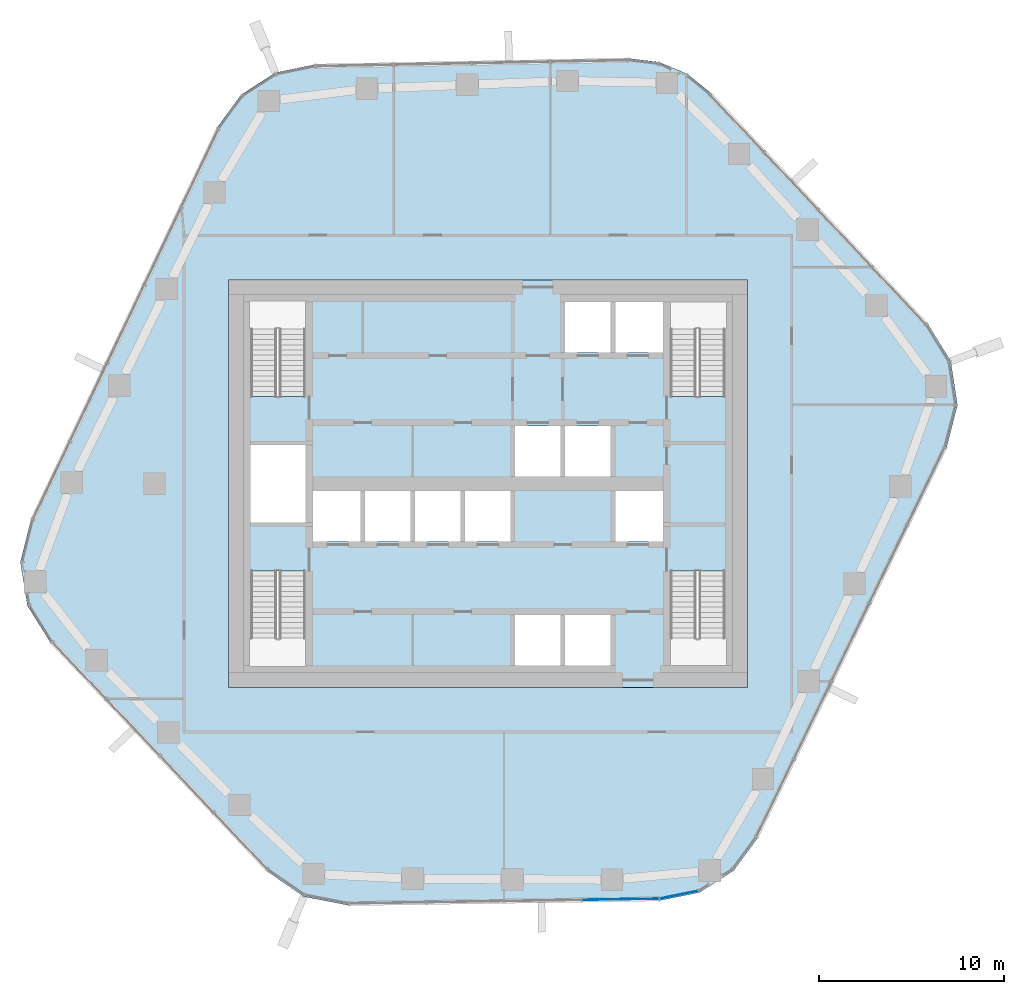
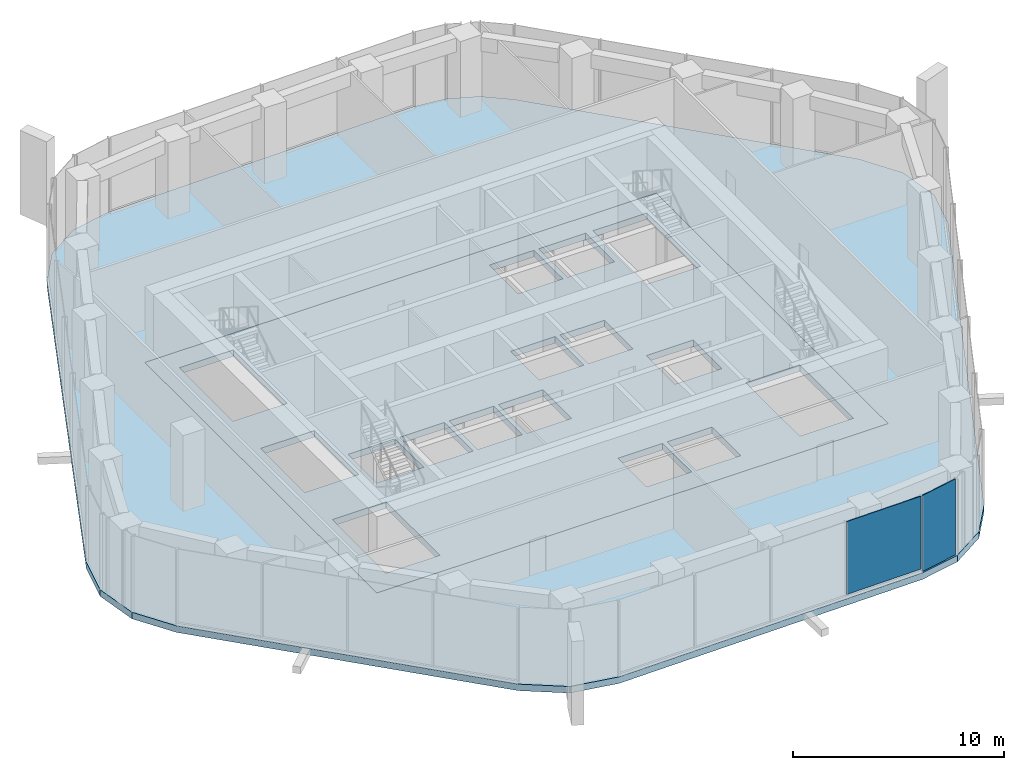
# One storey, part 7 of 16: 2 plates, 2 slabs, 2 elements without a shape of their own.
"""IFC4 building model written with IfcOpenShell, lengths in metres."""

from ifc_helpers import new_model, si_unit, direction, frame, origin, origin_2d, place, context, subcontext, project, spatial, polyline, rectangle, outline, extrude, material, layer, layer_set, type_object, element, aggregate, save


model = new_model("IFC4")

# Units and contexts
model_context = context("Model", 3, precision=1e-05, world=origin(), true_north=direction((0.0, 1.0)))
body_context = subcontext(model_context, "Body", "Model", "MODEL_VIEW")
ifc_project = project(units=[si_unit("LENGTHUNIT", "METRE"), si_unit("AREAUNIT", "SQUARE_METRE"), si_unit("VOLUMEUNIT", "CUBIC_METRE"), si_unit("PLANEANGLEUNIT", "RADIAN"), si_unit("MASSUNIT", "GRAM", prefix="KILO")], contexts=[model_context])

# Site, building, storey
site_placement = place(None, origin())
site = spatial("IfcSite", under=ifc_project, at=site_placement, CompositionType="ELEMENT")
building_placement = place(site_placement, origin())
building = spatial("IfcBuilding", under=site, at=building_placement, Name="Dongbaek Canopy Tower", CompositionType="ELEMENT")
storey_placement = place(building_placement, frame((0.0, 0.0, 215.60009765625)))
storey = spatial("IfcBuildingStorey", under=building, at=storey_placement, Name="L45", CompositionType="ELEMENT", Elevation=215.60009765625)

# Curtain wall, plate
ifc_material_1 = material(Name="Aluminium 6063-T6 pale anodised", Category="aluminium")
ifc_layer_1 = layer(ifc_material_1, 0.25)
ifc_layer_set_1 = layer_set([ifc_layer_1], Name="CW-4 sky-lobby curtain wall")
curtain_wall_type = type_object("IfcCurtainWallType", Name="CW-4 sky-lobby curtain wall", PredefinedType="NOTDEFINED", material=ifc_layer_set_1)
curtain_wall_1_placement = place(storey_placement, origin())
curtain_wall_1 = element("IfcCurtainWall", 1, at=curtain_wall_1_placement, inside=storey, type_object=curtain_wall_type, Name="CW-4 curtain wall F4.1", PredefinedType="NOTDEFINED")
ifc_material_2 = material(Name="Clear laminated glass", Category="glass")
ifc_layer_2 = layer(ifc_material_2, 0.035888671875)
ifc_layer_set_2 = layer_set([ifc_layer_2], Name="CW-4 glazed panel 36")
plate_type = type_object("IfcPlateType", Name="CW-4 glazed panel 36", PredefinedType="CURTAIN_PANEL", material=ifc_layer_set_2)
plate_1_placement = place(storey_placement, frame((7.15673828125, -22.431884765625, 0.1796875), z_axis=(0.0, 0.0, 1.0), x_axis=(0.999882899091, 0.015303205695, 0.0)))
plate_1 = element("IfcPlate", 2, at=plate_1_placement, type_object=plate_type, Name="CW-4 panel F4.1.4.1", PredefinedType="CURTAIN_PANEL", context=body_context, shape_type="SweptSolid", body=[
    extrude(rectangle(XDim=4.090576171875, YDim=0.035888671875, at=origin_2d()), origin(), (0.0, 0.0, 1.0), 4.219970703125),
])
aggregate(curtain_wall_1, [plate_1])

curtain_wall_2_placement = place(storey_placement, origin())
curtain_wall_2 = element("IfcCurtainWall", 3, at=curtain_wall_2_placement, inside=storey, type_object=curtain_wall_type, Name="CW-4 curtain wall K5.1a", PredefinedType="NOTDEFINED")
plate_2_placement = place(storey_placement, frame((10.31201171875, -22.184814453125, 0.0), z_axis=(0.0, 0.0, 1.0), x_axis=(0.980180201765, 0.198107980831, 0.0)))
plate_2 = element("IfcPlate", 4, at=plate_2_placement, type_object=plate_type, Name="CW-4 panel K5.1a.1.1", PredefinedType="CURTAIN_PANEL", context=body_context, shape_type="SweptSolid", body=[
    extrude(rectangle(XDim=2.0751953125, YDim=0.035888671875, at=origin_2d()), origin(), (0.0, 0.0, 1.0), 4.39990234375),
])
aggregate(curtain_wall_2, [plate_2])

# Slabs
ifc_material_3 = material(Name="Concrete C40/50", Category="concrete")
ifc_layer_3 = layer(ifc_material_3, 0.3798828125)
ifc_layer_set_3 = layer_set([ifc_layer_3], Name="Core floor slab 380 Concrete C40/50")
slab_type_1 = type_object("IfcSlabType", Name="Core floor slab 380 Concrete C40/50", PredefinedType="FLOOR", material=ifc_layer_set_3)
slab_1_placement = place(storey_placement, frame((0.0, 0.0, -0.380126953125)))
element("IfcSlab", 5, at=slab_1_placement, inside=storey, type_object=slab_type_1, Name="Core floor slab L45", PredefinedType="FLOOR", context=body_context, shape_type="SweptSolid", body=[
    extrude(outline(polyline([(14.0, -11.0), (14.0, 11.0), (-14.0, 11.0), (-14.0, -11.0), (14.0, -11.0)]), holes=[polyline([(-12.800048828125, 2.10009765625), (-9.85009765625, 2.10009765625), (-9.85009765625, -2.10009765625), (-12.800048828125, -2.10009765625), (-12.800048828125, 2.10009765625)]), polyline([(6.625, 9.800048828125), (6.625, 7.074951171875), (4.175048828125, 7.074951171875), (4.175048828125, 9.800048828125), (6.625, 9.800048828125)]), polyline([(9.449951171875, 7.074951171875), (6.875, 7.074951171875), (6.875, 9.800048828125), (9.449951171875, 9.800048828125), (9.449951171875, 7.074951171875)]), polyline([(1.47509765625, 0.39990234375), (1.47509765625, 3.125), (3.925048828125, 3.125), (3.925048828125, 0.39990234375), (1.47509765625, 0.39990234375)]), polyline([(4.175048828125, 0.39990234375), (4.175048828125, 3.125), (6.625, 3.125), (6.625, 0.39990234375), (4.175048828125, 0.39990234375)]), polyline([(-9.449951171875, -0.39990234375), (-6.875, -0.39990234375), (-6.875, -3.125), (-9.449951171875, -3.125), (-9.449951171875, -0.39990234375)]), polyline([(-6.625, -3.125), (-6.625, -0.39990234375), (-4.175048828125, -0.39990234375), (-4.175048828125, -3.125), (-6.625, -3.125)]), polyline([(-3.925048828125, -3.125), (-3.925048828125, -0.39990234375), (-1.47509765625, -0.39990234375), (-1.47509765625, -3.125), (-3.925048828125, -3.125)]), polyline([(-1.22509765625, -3.125), (-1.22509765625, -0.39990234375), (1.22509765625, -0.39990234375), (1.22509765625, -3.125), (-1.22509765625, -3.125)]), polyline([(9.449951171875, -3.125), (6.875, -3.125), (6.875, -0.39990234375), (9.449951171875, -0.39990234375), (9.449951171875, -3.125)]), polyline([(1.47509765625, -9.800048828125), (1.47509765625, -7.074951171875), (3.925048828125, -7.074951171875), (3.925048828125, -9.800048828125), (1.47509765625, -9.800048828125)]), polyline([(4.175048828125, -9.800048828125), (4.175048828125, -7.074951171875), (6.625, -7.074951171875), (6.625, -9.800048828125), (4.175048828125, -9.800048828125)]), polyline([(12.800048828125, 4.70068359375), (12.800048828125, 9.800048828125), (9.85009765625, 9.800048828125), (9.85009765625, 4.70068359375), (12.800048828125, 4.70068359375)]), polyline([(-9.85009765625, 4.70068359375), (-9.85009765625, 9.800048828125), (-12.800048828125, 9.800048828125), (-12.800048828125, 4.70068359375), (-9.85009765625, 4.70068359375)]), polyline([(9.85009765625, -4.70068359375), (9.85009765625, -9.800048828125), (12.800048828125, -9.800048828125), (12.800048828125, -4.70068359375), (9.85009765625, -4.70068359375)]), polyline([(-12.800048828125, -4.70068359375), (-12.800048828125, -9.800048828125), (-9.85009765625, -9.800048828125), (-9.85009765625, -4.70068359375), (-12.800048828125, -4.70068359375)])]), origin(), (0.0, 0.0, 1.0), 0.380126953125),
])
ifc_material_4 = material(Name="Concrete C40", Category="concrete")
ifc_layer_4 = layer(ifc_material_4, 0.3798828125)
ifc_layer_set_4 = layer_set([ifc_layer_4], Name="RC FLAT PLATE 380 Concrete C40")
slab_type_2 = type_object("IfcSlabType", Name="RC FLAT PLATE 380 Concrete C40", PredefinedType="FLOOR", material=ifc_layer_set_4)
slab_2_placement = place(storey_placement, frame((0.0, 0.0, -0.380126953125)))
element("IfcSlab", 6, at=slab_2_placement, inside=storey, type_object=slab_type_2, Name="SLAB:L45", PredefinedType="FLOOR", context=body_context, shape_type="SweptSolid", body=[
    extrude(outline(polyline([(14.568603515625, -19.1142578125), (13.265625, -20.883056640625), (11.4130859375, -22.064453125), (9.259765625, -22.49951171875), (-7.513916015625, -22.75634765625), (-9.934814453125, -22.28662109375), (-11.96240234375, -20.882568359375), (-23.59130859375, -8.6025390625), (-24.85546875, -6.57666015625), (-25.229248046875, -4.218017578125), (-24.653564453125, -1.900634765625), (-14.617919921875, 19.2080078125), (-13.32275390625, 20.989990234375), (-11.471923828125, 22.1845703125), (-9.314697265625, 22.630615234375), (7.578857421875, 22.956298828125), (9.233642578125, 22.756591796875), (10.76953125, 22.109619140625), (12.068115234375, 21.06494140625), (23.7265625, 8.651123046875), (24.98388671875, 6.61474609375), (25.345703125, 4.248779296875), (24.75341796875, 1.9296875), (14.568603515625, -19.1142578125)]), holes=[polyline([(14.0, 11.0), (-14.0, 11.0), (-14.0, -11.0), (14.0, -11.0), (14.0, 11.0)])]), origin(), (0.0, 0.0, 1.0), 0.380126953125),
])

save(model, "model.ifc")
